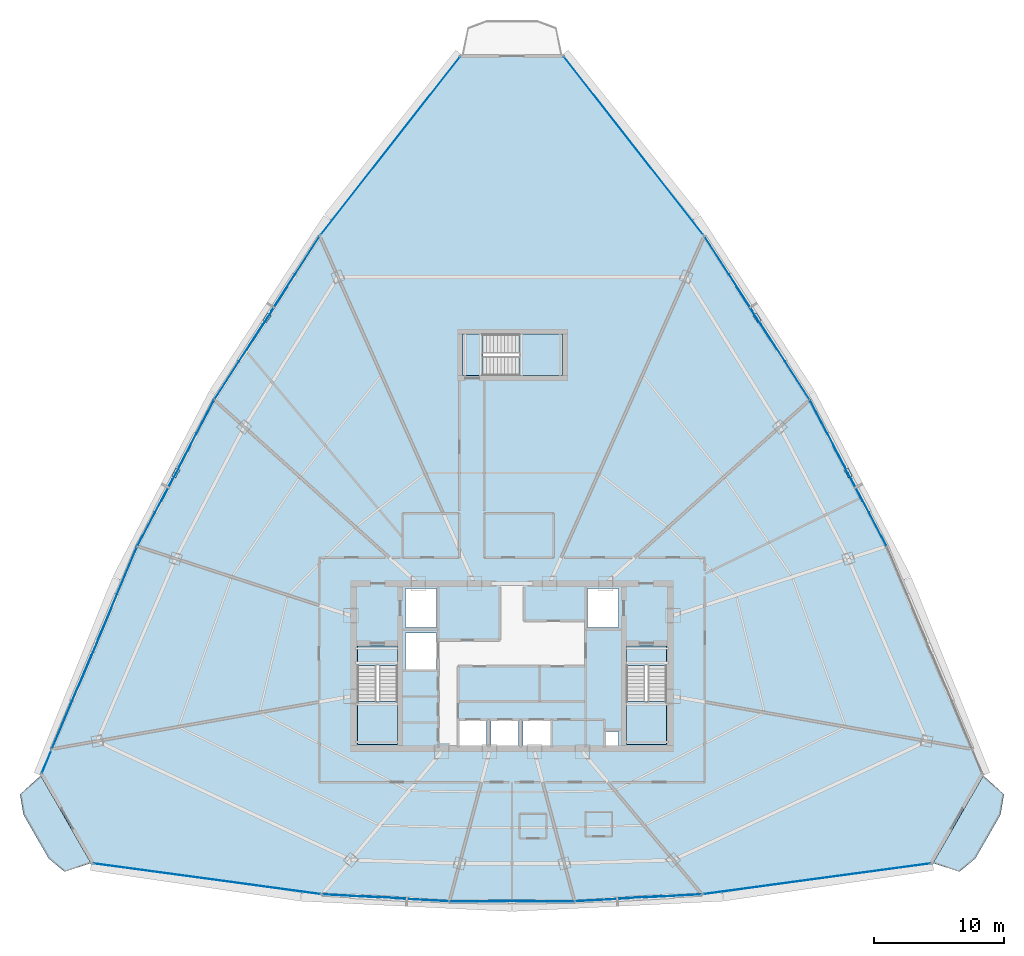
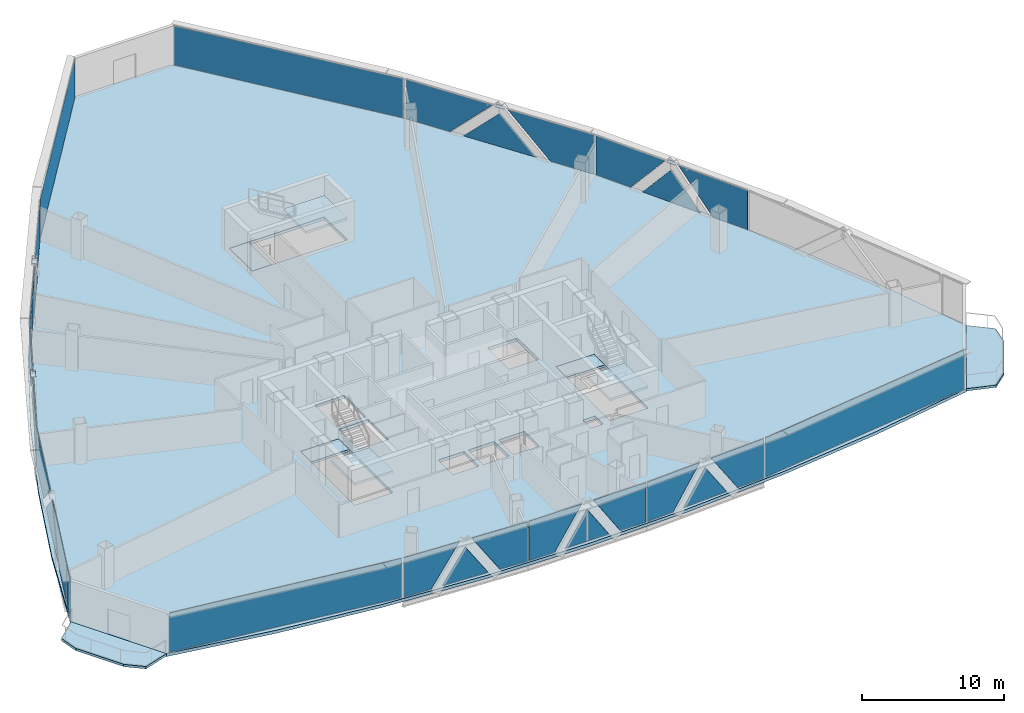
# One storey, part 25 of 34: 33 plates, 9 slabs, 16 elements without a shape of their own.
"""IFC4 building model written with IfcOpenShell, lengths in metres."""

from ifc_helpers import new_model, si_unit, direction, frame, origin, origin_2d, place, context, subcontext, project, spatial, polyline, rectangle, outline, extrude, source, transform, mapped, material, layer, layer_set, type_object, element, aggregate, save


model = new_model("IFC4")

# Units and contexts
model_context = context("Model", 3, precision=1e-05, world=origin(), true_north=direction((0.0, 1.0)))
body_context = subcontext(model_context, "Body", "Model", "MODEL_VIEW")
ifc_project = project(units=[si_unit("LENGTHUNIT", "METRE"), si_unit("AREAUNIT", "SQUARE_METRE"), si_unit("VOLUMEUNIT", "CUBIC_METRE"), si_unit("PLANEANGLEUNIT", "RADIAN"), si_unit("MASSUNIT", "GRAM", prefix="KILO"), si_unit("THERMODYNAMICTEMPERATUREUNIT", "KELVIN"), si_unit("POWERUNIT", "WATT")], contexts=[model_context])

# Site, building, storey
site_placement = place(None, origin())
site = spatial("IfcSite", under=ifc_project, at=site_placement, CompositionType="ELEMENT")
building_placement = place(site_placement, origin())
building = spatial("IfcBuilding", under=site, at=building_placement, Name="Yunzhuo Pagoda Commons", CompositionType="ELEMENT")
storey_placement = place(building_placement, frame((0.0, 0.0, 229.610107421875)))
storey = spatial("IfcBuildingStorey", under=building, at=storey_placement, Name="L57", CompositionType="ELEMENT", Elevation=229.610107421875)

# Curtain wall, plates
ifc_material_1 = material(Name="Anodized aluminium 6063-T6", Category="aluminium")
ifc_layer_1 = layer(ifc_material_1, 0.139892578125)
ifc_layer_set_1 = layer_set([ifc_layer_1], Name="Anodized aluminium 6063-T6")
curtain_wall_type = type_object("IfcCurtainWallType", Name="CW-HI High-Zone Ribbon Curtain Wall", PredefinedType="NOTDEFINED", material=ifc_layer_set_1)
curtain_wall_1_placement = place(storey_placement, origin())
curtain_wall_1 = element("IfcCurtainWall", 1, at=curtain_wall_1_placement, inside=storey, type_object=curtain_wall_type, Name="L57 curtain wall CW-L57-F1B2", PredefinedType="NOTDEFINED")
ifc_material_2 = material(Name="Tempered low-e double glazing", Category="glass")
ifc_layer_2 = layer(ifc_material_2, 0.02587890625)
ifc_layer_set_2 = layer_set([ifc_layer_2], Name="Tempered low-e double glazing")
plate_type_1 = type_object("IfcPlateType", Name="CW-HI-P Low-E Double Glazing 26", PredefinedType="CURTAIN_PANEL", material=ifc_layer_set_2)
plate_1_placement = place(storey_placement, frame((35.61474609375, 16.1640625, 1.73486328125), z_axis=(-0.054981193813, -0.998487390169, 0.0), x_axis=(0.998487390169, -0.054981193813, 0.0)))
plate_1 = element("IfcPlate", 2, at=plate_1_placement, type_object=plate_type_1, Name="CW panel 1.1 lite 1", PredefinedType="CURTAIN_PANEL", context=body_context, shape_type="SweptSolid", body=[
    extrude(outline(polyline([(-2.180419921875, -1.679931640625), (-0.031982421875, -1.679931640625), (2.180419921875, 1.679931640625), (-2.180419921875, 1.679931640625), (-2.180419921875, -1.679931640625)])), origin(), (0.0, 0.0, 1.0), 0.028076171875),
])
plate_2_placement = place(storey_placement, frame((38.283935546875, 16.047119140625, 1.4169921875), z_axis=(-0.054981193813, -0.998487390169, 0.0), x_axis=(0.998487390169, -0.054981193813, 0.0)))
plate_2 = element("IfcPlate", 3, at=plate_2_placement, type_object=plate_type_1, Name="CW panel 1.1 lite 2", PredefinedType="CURTAIN_PANEL", context=body_context, shape_type="SweptSolid", body=[
    extrude(outline(polyline([(-1.79345703125, -1.362060546875), (1.79345703125, -1.362060546875), (0.0, 1.362060546875), (-1.79345703125, -1.362060546875)])), origin(), (0.0, 0.0, 1.0), 0.028076171875),
])
plate_3_placement = place(storey_placement, frame((40.94970703125, 15.870361328125, 1.73486328125), z_axis=(-0.054981193813, -0.998487390169, 0.0), x_axis=(0.998487390169, -0.054981193813, 0.0)))
plate_3 = element("IfcPlate", 4, at=plate_3_placement, type_object=plate_type_1, Name="CW panel 1.1 lite 3", PredefinedType="CURTAIN_PANEL", context=body_context, shape_type="SweptSolid", body=[
    extrude(outline(polyline([(-2.180419921875, 1.679931640625), (0.031982421875, -1.679931640625), (2.180419921875, -1.679931640625), (2.180419921875, 1.679931640625), (-2.180419921875, 1.679931640625)])), origin(), (0.0, 0.0, 1.0), 0.028076171875),
])
aggregate(curtain_wall_1, [plate_1, plate_2, plate_3])

curtain_wall_2_placement = place(storey_placement, origin())
curtain_wall_2 = element("IfcCurtainWall", 5, at=curtain_wall_2_placement, inside=storey, type_object=curtain_wall_type, Name="L57 curtain wall CW-L57-F1B3", PredefinedType="NOTDEFINED")
plate_4_placement = place(storey_placement, frame((45.37890625, 15.74755859375, 1.73486328125), z_axis=(0.0, -1.0, 0.0), x_axis=(1.0, 0.0, 0.0)))
plate_4 = element("IfcPlate", 6, at=plate_4_placement, type_object=plate_type_1, Name="CW panel 1.1 lite 1", PredefinedType="CURTAIN_PANEL", context=body_context, shape_type="SweptSolid", body=[
    extrude(outline(polyline([(-2.13330078125, -1.679931640625), (-0.03515625, -1.679931640625), (2.13330078125, 1.679931640625), (-2.13330078125, 1.679931640625), (-2.13330078125, -1.679931640625)])), origin(), (0.0, 0.0, 1.0), 0.028076171875),
])
plate_5_placement = place(storey_placement, frame((48.0, 15.77734375, 1.412109375), z_axis=(0.0, -1.0, 0.0), x_axis=(1.0, 0.0, 0.0)))
plate_5 = element("IfcPlate", 7, at=plate_5_placement, type_object=plate_type_1, Name="CW panel 1.1 lite 2", PredefinedType="CURTAIN_PANEL", context=body_context, shape_type="SweptSolid", body=[
    extrude(outline(polyline([(-1.751708984375, -1.357177734375), (1.751708984375, -1.357177734375), (0.0, 1.357177734375), (-1.751708984375, -1.357177734375)])), origin(), (0.0, 0.0, 1.0), 0.028076171875),
])
plate_6_placement = place(storey_placement, frame((50.62109375, 15.74755859375, 1.73486328125), z_axis=(0.0, -1.0, 0.0), x_axis=(1.0, 0.0, 0.0)))
plate_6 = element("IfcPlate", 8, at=plate_6_placement, type_object=plate_type_1, Name="CW panel 1.1 lite 3", PredefinedType="CURTAIN_PANEL", context=body_context, shape_type="SweptSolid", body=[
    extrude(outline(polyline([(-2.13330078125, 1.679931640625), (0.03515625, -1.679931640625), (2.13330078125, -1.679931640625), (2.13330078125, 1.679931640625), (-2.13330078125, 1.679931640625)])), origin(), (0.0, 0.0, 1.0), 0.028076171875),
])
aggregate(curtain_wall_2, [plate_4, plate_5, plate_6])

curtain_wall_3_placement = place(storey_placement, origin())
curtain_wall_3 = element("IfcCurtainWall", 9, at=curtain_wall_3_placement, inside=storey, type_object=curtain_wall_type, Name="L57 curtain wall CW-L57-F1B4", PredefinedType="NOTDEFINED")
plate_7_placement = place(storey_placement, frame((55.05029296875, 15.870361328125, 1.73486328125), z_axis=(0.054981193813, -0.998487390169, 0.0), x_axis=(0.998487390169, 0.054981193813, 0.0)))
plate_7 = element("IfcPlate", 10, at=plate_7_placement, type_object=plate_type_1, Name="CW panel 1.1 lite 1", PredefinedType="CURTAIN_PANEL", context=body_context, shape_type="SweptSolid", body=[
    extrude(outline(polyline([(-2.180419921875, -1.679931640625), (-0.031982421875, -1.679931640625), (2.180419921875, 1.679931640625), (-2.180419921875, 1.679931640625), (-2.180419921875, -1.679931640625)])), origin(), (0.0, 0.0, 1.0), 0.028076171875),
])
plate_8_placement = place(storey_placement, frame((57.716064453125, 16.047119140625, 1.4169921875), z_axis=(0.054981193813, -0.998487390169, 0.0), x_axis=(0.998487390169, 0.054981193813, 0.0)))
plate_8 = element("IfcPlate", 11, at=plate_8_placement, type_object=plate_type_1, Name="CW panel 1.1 lite 2", PredefinedType="CURTAIN_PANEL", context=body_context, shape_type="SweptSolid", body=[
    extrude(outline(polyline([(-1.79345703125, -1.362060546875), (1.79345703125, -1.362060546875), (0.0, 1.362060546875), (-1.79345703125, -1.362060546875)])), origin(), (0.0, 0.0, 1.0), 0.028076171875),
])
plate_9_placement = place(storey_placement, frame((60.38525390625, 16.1640625, 1.73486328125), z_axis=(0.054981193813, -0.998487390169, 0.0), x_axis=(0.998487390169, 0.054981193813, 0.0)))
plate_9 = element("IfcPlate", 12, at=plate_9_placement, type_object=plate_type_1, Name="CW panel 1.1 lite 3", PredefinedType="CURTAIN_PANEL", context=body_context, shape_type="SweptSolid", body=[
    extrude(outline(polyline([(-2.180419921875, 1.679931640625), (0.031982421875, -1.679931640625), (2.180419921875, -1.679931640625), (2.180419921875, 1.679931640625), (-2.180419921875, 1.679931640625)])), origin(), (0.0, 0.0, 1.0), 0.028076171875),
])
aggregate(curtain_wall_3, [plate_7, plate_8, plate_9])

curtain_wall_4_placement = place(storey_placement, origin())
curtain_wall_4 = element("IfcCurtainWall", 13, at=curtain_wall_4_placement, inside=storey, type_object=curtain_wall_type, Name="L57 curtain wall CW-L57-F2B3", PredefinedType="NOTDEFINED")
plate_10_placement = place(storey_placement, frame((75.46435546875, 45.666748046875, 1.73486328125), z_axis=(0.885137797473, 0.465329001337, 0.0), x_axis=(-0.465329001337, 0.885137797473, 0.0)))
plate_10 = element("IfcPlate", 14, at=plate_10_placement, type_object=plate_type_1, Name="CW panel 1.1 lite 1", PredefinedType="CURTAIN_PANEL", context=body_context, shape_type="SweptSolid", body=[
    extrude(outline(polyline([(-2.87890625, -1.679931640625), (0.012451171875, -1.679931640625), (2.87890625, 1.679931640625), (-2.87890625, 1.679931640625), (-2.87890625, -1.679931640625)])), origin(), (0.0, 0.0, 1.0), 0.028076171875),
])
plate_11_placement = place(storey_placement, frame((73.84375, 48.684814453125, 1.469482421875), z_axis=(0.885137797473, 0.465329001337, 0.0), x_axis=(-0.465329001337, 0.885137797473, 0.0)))
plate_11 = element("IfcPlate", 15, at=plate_11_placement, type_object=plate_type_1, Name="CW panel 1.1 lite 2", PredefinedType="CURTAIN_PANEL", context=body_context, shape_type="SweptSolid", body=[
    extrude(outline(polyline([(-2.413818359375, -1.414794921875), (2.413818359375, -1.414794921875), (0.0, 1.414794921875), (-2.413818359375, -1.414794921875)])), origin(), (0.0, 0.0, 1.0), 0.028076171875),
])
plate_12_placement = place(storey_placement, frame((72.276611328125, 51.730712890625, 1.73486328125), z_axis=(0.885137797473, 0.465329001337, 0.0), x_axis=(-0.465329001337, 0.885137797473, 0.0)))
plate_12 = element("IfcPlate", 16, at=plate_12_placement, type_object=plate_type_1, Name="CW panel 1.1 lite 3", PredefinedType="CURTAIN_PANEL", context=body_context, shape_type="SweptSolid", body=[
    extrude(outline(polyline([(-2.87890625, 1.679931640625), (-0.012451171875, -1.679931640625), (2.87890625, -1.679931640625), (2.87890625, 1.679931640625), (-2.87890625, 1.679931640625)])), origin(), (0.0, 0.0, 1.0), 0.028076171875),
])
aggregate(curtain_wall_4, [plate_10, plate_11, plate_12])

curtain_wall_5_placement = place(storey_placement, origin())
curtain_wall_5 = element("IfcCurtainWall", 17, at=curtain_wall_5_placement, inside=storey, type_object=curtain_wall_type, Name="L57 curtain wall CW-L57-F2B4", PredefinedType="NOTDEFINED")
plate_13_placement = place(storey_placement, frame((69.024658203125, 57.2587890625, 1.73486328125), z_axis=(0.840807373352, 0.541334426133, 0.0), x_axis=(-0.541334426133, 0.840807373352, 0.0)))
plate_13 = element("IfcPlate", 18, at=plate_13_placement, type_object=plate_type_1, Name="CW panel 1.1 lite 1", PredefinedType="CURTAIN_PANEL", context=body_context, shape_type="SweptSolid", body=[
    extrude(outline(polyline([(-3.422119140625, -1.679931640625), (0.044921875, -1.679931640625), (3.422119140625, 1.679931640625), (-3.422119140625, 1.679931640625), (-3.422119140625, -1.679931640625)])), origin(), (0.0, 0.0, 1.0), 0.028076171875),
])
plate_14_placement = place(storey_placement, frame((66.8251953125, 60.61962890625, 1.494384765625), z_axis=(0.840807373352, 0.541334426133, 0.0), x_axis=(-0.541334426133, 0.840807373352, 0.0)))
plate_14 = element("IfcPlate", 19, at=plate_14_placement, type_object=plate_type_1, Name="CW panel 1.1 lite 2", PredefinedType="CURTAIN_PANEL", context=body_context, shape_type="SweptSolid", body=[
    extrude(outline(polyline([(-2.893798828125, -1.439453125), (2.893798828125, -1.439453125), (0.0, 1.439453125), (-2.893798828125, -1.439453125)])), origin(), (0.0, 0.0, 1.0), 0.028076171875),
])
plate_15_placement = place(storey_placement, frame((64.67626953125, 64.0126953125, 1.73486328125), z_axis=(0.840807373352, 0.541334426133, 0.0), x_axis=(-0.541334426133, 0.840807373352, 0.0)))
plate_15 = element("IfcPlate", 20, at=plate_15_placement, type_object=plate_type_1, Name="CW panel 1.1 lite 3", PredefinedType="CURTAIN_PANEL", context=body_context, shape_type="SweptSolid", body=[
    extrude(outline(polyline([(-3.422119140625, 1.679931640625), (-0.044921875, -1.679931640625), (3.422119140625, -1.679931640625), (3.422119140625, 1.679931640625), (-3.422119140625, 1.679931640625)])), origin(), (0.0, 0.0, 1.0), 0.028076171875),
])
aggregate(curtain_wall_5, [plate_13, plate_14, plate_15])

curtain_wall_6_placement = place(storey_placement, origin())
curtain_wall_6 = element("IfcCurtainWall", 21, at=curtain_wall_6_placement, inside=storey, type_object=curtain_wall_type, Name="L57 curtain wall CW-L57-F3B2", PredefinedType="NOTDEFINED")
plate_16_placement = place(storey_placement, frame((31.32373046875, 64.0126953125, 1.73486328125), z_axis=(-0.840807373352, 0.541334426133, 0.0), x_axis=(-0.541334426133, -0.840807373352, 0.0)))
plate_16 = element("IfcPlate", 22, at=plate_16_placement, type_object=plate_type_1, Name="CW panel 1.1 lite 1", PredefinedType="CURTAIN_PANEL", context=body_context, shape_type="SweptSolid", body=[
    extrude(outline(polyline([(-3.422119140625, -1.679931640625), (0.044921875, -1.679931640625), (3.422119140625, 1.679931640625), (-3.422119140625, 1.679931640625), (-3.422119140625, -1.679931640625)])), origin(), (0.0, 0.0, 1.0), 0.028076171875),
])
plate_17_placement = place(storey_placement, frame((29.1748046875, 60.61962890625, 1.494384765625), z_axis=(-0.840807373352, 0.541334426133, 0.0), x_axis=(-0.541334426133, -0.840807373352, 0.0)))
plate_17 = element("IfcPlate", 23, at=plate_17_placement, type_object=plate_type_1, Name="CW panel 1.1 lite 2", PredefinedType="CURTAIN_PANEL", context=body_context, shape_type="SweptSolid", body=[
    extrude(outline(polyline([(-2.893798828125, -1.439453125), (2.893798828125, -1.439453125), (0.0, 1.439453125), (-2.893798828125, -1.439453125)])), origin(), (0.0, 0.0, 1.0), 0.028076171875),
])
plate_18_placement = place(storey_placement, frame((26.975341796875, 57.2587890625, 1.73486328125), z_axis=(-0.840807373352, 0.541334426133, 0.0), x_axis=(-0.541334426133, -0.840807373352, 0.0)))
plate_18 = element("IfcPlate", 24, at=plate_18_placement, type_object=plate_type_1, Name="CW panel 1.1 lite 3", PredefinedType="CURTAIN_PANEL", context=body_context, shape_type="SweptSolid", body=[
    extrude(outline(polyline([(-3.422119140625, 1.679931640625), (-0.044921875, -1.679931640625), (3.422119140625, -1.679931640625), (3.422119140625, 1.679931640625), (-3.422119140625, 1.679931640625)])), origin(), (0.0, 0.0, 1.0), 0.028076171875),
])
aggregate(curtain_wall_6, [plate_16, plate_17, plate_18])

curtain_wall_7_placement = place(storey_placement, origin())
curtain_wall_7 = element("IfcCurtainWall", 25, at=curtain_wall_7_placement, inside=storey, type_object=curtain_wall_type, Name="L57 curtain wall CW-L57-F3B3", PredefinedType="NOTDEFINED")
plate_19_placement = place(storey_placement, frame((23.723388671875, 51.730712890625, 1.73486328125), z_axis=(-0.885137797473, 0.465329001337, 0.0), x_axis=(-0.465329001337, -0.885137797473, 0.0)))
plate_19 = element("IfcPlate", 26, at=plate_19_placement, type_object=plate_type_1, Name="CW panel 1.1 lite 1", PredefinedType="CURTAIN_PANEL", context=body_context, shape_type="SweptSolid", body=[
    extrude(outline(polyline([(-2.87890625, -1.679931640625), (0.012451171875, -1.679931640625), (2.87890625, 1.679931640625), (-2.87890625, 1.679931640625), (-2.87890625, -1.679931640625)])), origin(), (0.0, 0.0, 1.0), 0.028076171875),
])
plate_20_placement = place(storey_placement, frame((22.15625, 48.684814453125, 1.469482421875), z_axis=(-0.885137797473, 0.465329001337, 0.0), x_axis=(-0.465329001337, -0.885137797473, 0.0)))
plate_20 = element("IfcPlate", 27, at=plate_20_placement, type_object=plate_type_1, Name="CW panel 1.1 lite 2", PredefinedType="CURTAIN_PANEL", context=body_context, shape_type="SweptSolid", body=[
    extrude(outline(polyline([(-2.413818359375, -1.414794921875), (2.413818359375, -1.414794921875), (0.0, 1.414794921875), (-2.413818359375, -1.414794921875)])), origin(), (0.0, 0.0, 1.0), 0.028076171875),
])
plate_21_placement = place(storey_placement, frame((20.53564453125, 45.666748046875, 1.73486328125), z_axis=(-0.885137797473, 0.465329001337, 0.0), x_axis=(-0.465329001337, -0.885137797473, 0.0)))
plate_21 = element("IfcPlate", 28, at=plate_21_placement, type_object=plate_type_1, Name="CW panel 1.1 lite 3", PredefinedType="CURTAIN_PANEL", context=body_context, shape_type="SweptSolid", body=[
    extrude(outline(polyline([(-2.87890625, 1.679931640625), (-0.012451171875, -1.679931640625), (2.87890625, -1.679931640625), (2.87890625, 1.679931640625), (-2.87890625, 1.679931640625)])), origin(), (0.0, 0.0, 1.0), 0.028076171875),
])
aggregate(curtain_wall_7, [plate_19, plate_20, plate_21])

curtain_wall_8_placement = place(storey_placement, origin())
curtain_wall_8 = element("IfcCurtainWall", 29, at=curtain_wall_8_placement, inside=storey, type_object=curtain_wall_type, Name="L57 curtain wall CW-L57-F3B4", PredefinedType="NOTDEFINED")
plate_22_placement = place(storey_placement, frame((17.63623046875, 39.42822265625, 1.73486328125), z_axis=(-0.92158893956, 0.388167266112, 0.0), x_axis=(-0.388167266112, -0.92158893956, 0.0)))
plate_22 = element("IfcPlate", 30, at=plate_22_placement, type_object=plate_type_1, Name="CW panel 1.1 lite 1", PredefinedType="CURTAIN_PANEL", context=body_context, shape_type="SweptSolid", body=[
    extrude(outline(polyline([(-3.887939453125, -1.679931640625), (0.0712890625, -1.679931640625), (3.887939453125, 1.679931640625), (-3.887939453125, 1.679931640625), (-3.887939453125, -1.679931640625)])), origin(), (0.0, 0.0, 1.0), 0.028076171875),
])
plate_23_placement = place(storey_placement, frame((15.9072265625, 35.24609375, 1.50927734375), z_axis=(-0.92158893956, 0.388167266112, 0.0), x_axis=(-0.388167266112, -0.92158893956, 0.0)))
plate_23 = element("IfcPlate", 31, at=plate_23_placement, type_object=plate_type_1, Name="CW panel 1.1 lite 2", PredefinedType="CURTAIN_PANEL", context=body_context, shape_type="SweptSolid", body=[
    extrude(outline(polyline([(-3.303955078125, -1.454345703125), (3.303955078125, -1.454345703125), (0.0, 1.454345703125), (-3.303955078125, -1.454345703125)])), origin(), (0.0, 0.0, 1.0), 0.028076171875),
])
plate_24_placement = place(storey_placement, frame((14.123046875, 31.087158203125, 1.73486328125), z_axis=(-0.92158893956, 0.388167266112, 0.0), x_axis=(-0.388167266112, -0.92158893956, 0.0)))
plate_24 = element("IfcPlate", 32, at=plate_24_placement, type_object=plate_type_1, Name="CW panel 1.1 lite 3", PredefinedType="CURTAIN_PANEL", context=body_context, shape_type="SweptSolid", body=[
    extrude(outline(polyline([(-3.887939453125, 1.679931640625), (-0.0712890625, -1.679931640625), (3.887939453125, -1.679931640625), (3.887939453125, 1.679931640625), (-3.887939453125, 1.679931640625)])), origin(), (0.0, 0.0, 1.0), 0.028076171875),
])
aggregate(curtain_wall_8, [plate_22, plate_23, plate_24])

# Slabs
ifc_material_3 = material(Name="Concrete C40", Category="concrete")
ifc_layer_3 = layer(ifc_material_3, 0.199951171875)
ifc_layer_set_3 = layer_set([ifc_layer_3], Name="Concrete C40")
slab_type_1 = type_object("IfcSlabType", Name="SL-BAL Vertex Balcony Deck Slab 200", PredefinedType="FLOOR", material=ifc_layer_set_3)
slab_1_placement = place(storey_placement, frame((0.0, 0.0, -0.2001953125)))
element("IfcSlab", 33, at=slab_1_placement, inside=storey, type_object=slab_type_1, Name="L57 corner balcony V1", PredefinedType="FLOOR", context=body_context, shape_type="SweptSolid", body=[
    extrude(outline(polyline([(11.717529296875, 25.412109375), (15.588134765625, 18.67041015625), (13.54736328125, 18.017578125), (12.32666015625, 19.038818359375), (10.391357421875, 22.40966796875), (10.124755859375, 23.978515625), (11.717529296875, 25.412109375)])), origin(), (0.0, 0.0, 1.0), 0.2001953125),
])
slab_2_placement = place(storey_placement, frame((0.0, 0.0, -0.2001953125)))
element("IfcSlab", 34, at=slab_2_placement, inside=storey, type_object=slab_type_1, Name="L57 corner balcony V2", PredefinedType="FLOOR", context=body_context, shape_type="SweptSolid", body=[
    extrude(outline(polyline([(80.411865234375, 18.67041015625), (84.282470703125, 25.412109375), (85.875244140625, 23.978515625), (85.608642578125, 22.40966796875), (83.67333984375, 19.038818359375), (82.45263671875, 18.017578125), (80.411865234375, 18.67041015625)])), origin(), (0.0, 0.0, 1.0), 0.2001953125),
])

# Stair, slabs
stair_type_1 = type_object("IfcStairType", Name="ST-C1 Core Smokeproof Stair ST1", PredefinedType="HALF_TURN_STAIR", material=ifc_material_3)
stair_1_placement = place(storey_placement, origin())
stair_1 = element("IfcStair", 35, at=stair_1_placement, inside=storey, type_object=stair_type_1, Name="L57 Core smokeproof stair ST1", PredefinedType="HALF_TURN_STAIR")
ifc_layer_4 = layer(ifc_material_3, 0.199951171875)
ifc_layer_set_4 = layer_set([ifc_layer_4], Name="Concrete C40")
slab_type_2 = type_object("IfcSlabType", Name="SL-LND1 Stair Landing Slab 200", PredefinedType="LANDING", material=ifc_layer_set_4)
slab_3_placement = place(storey_placement, frame((0.0, 0.0, 1.664794921875)))
slab_3 = element("IfcSlab", 36, at=slab_3_placement, type_object=slab_type_2, Name="ST1 landing 1", PredefinedType="LANDING", context=body_context, shape_type="SweptSolid", body=[
    extrude(outline(polyline([(36.10009765625, 31.10009765625), (36.10009765625, 27.800048828125), (39.199951171875, 27.800048828125), (39.199951171875, 31.10009765625), (36.10009765625, 31.10009765625)])), origin(), (0.0, 0.0, 1.0), 0.2001953125),
])
slab_4_placement = place(storey_placement, frame((0.0, 0.0, -0.2001953125)))
slab_4 = element("IfcSlab", 37, at=slab_4_placement, type_object=slab_type_2, Name="ST1 floor landing L57", PredefinedType="LANDING", context=body_context, shape_type="SweptSolid", body=[
    extrude(outline(polyline([(36.10009765625, 35.39990234375), (36.10009765625, 33.89990234375), (39.199951171875, 33.89990234375), (39.199951171875, 35.39990234375), (36.10009765625, 35.39990234375)])), origin(), (0.0, 0.0, 1.0), 0.2001953125),
])
aggregate(stair_1, [slab_3, slab_4])

stair_type_2 = type_object("IfcStairType", Name="ST-C2 Core Smokeproof Stair ST2", PredefinedType="HALF_TURN_STAIR", material=ifc_material_3)
stair_2_placement = place(storey_placement, origin())
stair_2 = element("IfcStair", 38, at=stair_2_placement, inside=storey, type_object=stair_type_2, Name="L57 Core smokeproof stair ST2", PredefinedType="HALF_TURN_STAIR")
ifc_layer_5 = layer(ifc_material_3, 0.201904296875)
ifc_layer_set_5 = layer_set([ifc_layer_5], Name="Concrete C40")
slab_type_3 = type_object("IfcSlabType", Name="SL-LND2 Stair Landing Slab 202", PredefinedType="LANDING", material=ifc_layer_set_5)
slab_5_placement = place(storey_placement, frame((0.0, 0.0, 1.664794921875)))
slab_5 = element("IfcSlab", 39, at=slab_5_placement, type_object=slab_type_3, Name="ST2 landing 1", PredefinedType="LANDING", context=body_context, shape_type="SweptSolid", body=[
    extrude(outline(polyline([(56.800048828125, 31.10009765625), (56.800048828125, 27.800048828125), (59.89990234375, 27.800048828125), (59.89990234375, 31.10009765625), (56.800048828125, 31.10009765625)])), origin(), (0.0, 0.0, 1.0), 0.2001953125),
])
slab_6_placement = place(storey_placement, frame((0.0, 0.0, -0.2001953125)))
slab_6 = element("IfcSlab", 40, at=slab_6_placement, type_object=slab_type_3, Name="ST2 floor landing L57", PredefinedType="LANDING", context=body_context, shape_type="SweptSolid", body=[
    extrude(outline(polyline([(56.800048828125, 35.39990234375), (56.800048828125, 33.89990234375), (59.89990234375, 33.89990234375), (59.89990234375, 35.39990234375), (56.800048828125, 35.39990234375)])), origin(), (0.0, 0.0, 1.0), 0.2001953125),
])
aggregate(stair_2, [slab_5, slab_6])

stair_type_3 = type_object("IfcStairType", Name="ST-C3 North Tower Smokeproof Stair ST3", PredefinedType="HALF_TURN_STAIR", material=ifc_material_3)
stair_3_placement = place(storey_placement, origin())
stair_3 = element("IfcStair", 41, at=stair_3_placement, inside=storey, type_object=stair_type_3, Name="L57 North tower smokeproof stair ST3", PredefinedType="HALF_TURN_STAIR")
ifc_layer_6 = layer(ifc_material_3, 0.2041015625)
ifc_layer_set_6 = layer_set([ifc_layer_6], Name="Concrete C40")
slab_type_4 = type_object("IfcSlabType", Name="SL-LND5 North Landing Slab 204", PredefinedType="LANDING", material=ifc_layer_set_6)
slab_7_placement = place(storey_placement, frame((0.0, 0.0, 1.664794921875)))
slab_7 = element("IfcSlab", 42, at=slab_7_placement, type_object=slab_type_4, Name="ST3 landing 1", PredefinedType="LANDING", context=body_context, shape_type="SweptSolid", body=[
    extrude(outline(polyline([(48.550048828125, 56.199951171875), (51.89990234375, 56.199951171875), (51.89990234375, 59.39990234375), (48.550048828125, 59.39990234375), (48.550048828125, 56.199951171875)])), origin(), (0.0, 0.0, 1.0), 0.2001953125),
])
slab_8_placement = place(storey_placement, frame((0.0, 0.0, -0.2001953125)))
slab_8 = element("IfcSlab", 43, at=slab_8_placement, type_object=slab_type_4, Name="ST3 floor landing L57", PredefinedType="LANDING", context=body_context, shape_type="SweptSolid", body=[
    extrude(outline(polyline([(44.199951171875, 56.199951171875), (45.75, 56.199951171875), (45.75, 59.39990234375), (44.199951171875, 59.39990234375), (44.199951171875, 56.199951171875)])), origin(), (0.0, 0.0, 1.0), 0.2001953125),
])
aggregate(stair_3, [slab_7, slab_8])

# Slab
ifc_layer_7 = layer(ifc_material_3, 0.260009765625)
ifc_layer_set_7 = layer_set([ifc_layer_7], Name="Concrete C40")
slab_type_5 = type_object("IfcSlabType", Name="SL-TWR Typical Tower Floor Slab 260", PredefinedType="FLOOR", material=ifc_layer_set_7)
slab_9_placement = place(storey_placement, frame((0.0, 0.0, -0.260009765625)))
element("IfcSlab", 44, at=slab_9_placement, inside=storey, type_object=slab_type_5, Name="L57 structural floor slab", PredefinedType="FLOOR", context=body_context, shape_type="SweptSolid", body=[
    extrude(outline(polyline([(14.5810546875, 33.0498046875), (17.78076171875, 40.486328125), (21.32080078125, 47.72412109375), (25.20166015625, 54.76318359375), (29.4228515625, 61.603515625), (33.984375, 68.2451171875), (38.88671875, 74.68798828125), (44.129150390625, 80.931884765625), (51.870849609375, 80.931884765625), (57.11328125, 74.68798828125), (62.015625, 68.2451171875), (66.5771484375, 61.603515625), (70.79833984375, 54.76318359375), (74.67919921875, 47.72412109375), (78.21923828125, 40.486328125), (81.4189453125, 33.0498046875), (84.2783203125, 25.41455078125), (80.407470703125, 18.673095703125), (72.3056640625, 17.293212890625), (64.20361328125, 16.3076171875), (56.101806640625, 15.716064453125), (48.0, 15.51904296875), (39.898193359375, 15.716064453125), (31.79638671875, 16.3076171875), (23.6943359375, 17.293212890625), (15.592529296875, 18.673095703125), (11.7216796875, 25.41455078125), (14.5810546875, 33.0498046875)]), holes=[polyline([(56.179931640625, 28.800048828125), (55.179931640625, 28.800048828125), (55.179931640625, 27.699951171875), (56.179931640625, 27.699951171875), (56.179931640625, 28.800048828125)]), polyline([(46.050048828125, 29.64990234375), (43.949951171875, 29.64990234375), (43.949951171875, 27.60009765625), (46.050048828125, 27.60009765625), (46.050048828125, 29.64990234375)]), polyline([(48.5, 29.64990234375), (46.39990234375, 29.64990234375), (46.39990234375, 27.60009765625), (48.5, 27.60009765625), (48.5, 29.64990234375)]), polyline([(50.949951171875, 27.60009765625), (50.949951171875, 29.64990234375), (48.85009765625, 29.64990234375), (48.85009765625, 27.60009765625), (50.949951171875, 27.60009765625)]), polyline([(36.10009765625, 27.800048828125), (39.199951171875, 27.800048828125), (39.199951171875, 35.39990234375), (36.10009765625, 35.39990234375), (36.10009765625, 27.800048828125)]), polyline([(59.89990234375, 27.800048828125), (59.89990234375, 35.39990234375), (56.800048828125, 35.39990234375), (56.800048828125, 27.800048828125), (59.89990234375, 27.800048828125)]), polyline([(42.199951171875, 36.39990234375), (39.800048828125, 36.39990234375), (39.800048828125, 33.60009765625), (42.199951171875, 33.60009765625), (42.199951171875, 36.39990234375)]), polyline([(42.199951171875, 39.800048828125), (39.800048828125, 39.800048828125), (39.800048828125, 36.800048828125), (42.199951171875, 36.800048828125), (42.199951171875, 39.800048828125)]), polyline([(56.199951171875, 36.800048828125), (56.199951171875, 39.800048828125), (53.800048828125, 39.800048828125), (53.800048828125, 36.800048828125), (56.199951171875, 36.800048828125)]), polyline([(51.89990234375, 56.199951171875), (51.89990234375, 59.39990234375), (44.199951171875, 59.39990234375), (44.199951171875, 56.199951171875), (51.89990234375, 56.199951171875)])]), origin(), (0.0, 0.0, 1.0), 0.260009765625),
])

# Plates
ifc_material_4 = material(Name="Structural steel Q355B", Category="steel")
ifc_layer_8 = layer(ifc_material_4, 0.028076171875)
ifc_layer_set_8 = layer_set([ifc_layer_8], Name="Structural steel Q355B")
plate_type_2 = type_object("IfcPlateType", Name="SP-ND1 Lattice Node Cap Plate 800x500x28", PredefinedType="USERDEFINED", material=ifc_layer_set_8)
shared_shape_1 = source(origin(), body_context, "Body", "SweptSolid", [
    extrude(rectangle(XDim=0.699951171875, YDim=0.35009765625, at=origin_2d()), origin(), (0.0, 0.0, 1.0), 0.035888671875),
])
for number, where, z_axis, x_axis, name in (
    (45, (73.8828125, 48.705322265625, 3.43212890625), (0.0, 0.0, 1.0), (-0.465336470286, 0.885133870904, 0.0), "L57 setback lattice tie plate F2.2L"),
    (46, (66.8623046875, 60.643310546875, 3.43212890625), (0.0, 0.0, 1.0), (-0.541341392357, 0.840802888269, 0.0), "L57 setback lattice tie plate F2.3L"),
    (47, (29.1376953125, 60.643310546875, 3.43212890625), (0.0, 0.0, 1.0), (-0.541341392357, -0.840802888269, 0.0), "L57 setback lattice tie plate F3.1L"),
    (48, (22.1171875, 48.705322265625, 3.43212890625), (0.0, 0.0, 1.0), (-0.465336470286, -0.885133870904, 0.0), "L57 setback lattice tie plate F3.2L"),
):
    element("IfcPlate", number, at=place(storey_placement, frame(where, z_axis=z_axis, x_axis=x_axis)), inside=storey, type_object=plate_type_2, Name=name, ObjectType="STIFFENER_PLATE", PredefinedType="USERDEFINED", context=body_context, shape_type="MappedRepresentation", body=[
        mapped(shared_shape_1, transform((0.0, 0.0, 0.0), scale=1.0)),
    ])

# Curtain wall, plate
curtain_wall_9_placement = place(storey_placement, origin())
curtain_wall_9 = element("IfcCurtainWall", 49, at=curtain_wall_9_placement, inside=storey, type_object=curtain_wall_type, Name="L57 curtain wall CW-L57-F1B1", PredefinedType="NOTDEFINED")
shared_shape_2 = source(origin(), body_context, "Body", "SweptSolid", [
    extrude(rectangle(XDim=17.590087890625, YDim=0.028076171875, at=origin_2d()), origin(), (0.0, 0.0, 1.0), 3.360107421875),
])
plate_25_placement = place(storey_placement, frame((24.52783203125, 17.46923828125, 0.0546875), z_axis=(0.0, 0.0, 1.0), x_axis=(0.990990850616, -0.133929585963, 0.0)))
plate_25 = element("IfcPlate", 50, at=plate_25_placement, type_object=plate_type_1, Name="CW panel 1.1", PredefinedType="CURTAIN_PANEL", context=body_context, shape_type="MappedRepresentation", body=[
    mapped(shared_shape_2, transform((0.0, 0.0, 0.0), scale=1.0)),
])
aggregate(curtain_wall_9, [plate_25])

curtain_wall_10_placement = place(storey_placement, origin())
curtain_wall_10 = element("IfcCurtainWall", 51, at=curtain_wall_10_placement, inside=storey, type_object=curtain_wall_type, Name="L57 curtain wall CW-L57-F1B5", PredefinedType="NOTDEFINED")
plate_26_placement = place(storey_placement, frame((71.47216796875, 17.46923828125, 0.0546875), z_axis=(0.0, 0.0, 1.0), x_axis=(0.990990850616, 0.133929585963, 0.0)))
plate_26 = element("IfcPlate", 52, at=plate_26_placement, type_object=plate_type_1, Name="CW panel 1.1", PredefinedType="CURTAIN_PANEL", context=body_context, shape_type="MappedRepresentation", body=[
    mapped(shared_shape_2, transform((0.0, 0.0, 0.0), scale=1.0)),
])
aggregate(curtain_wall_10, [plate_26])

curtain_wall_11_placement = place(storey_placement, origin())
curtain_wall_11 = element("IfcCurtainWall", 53, at=curtain_wall_11_placement, inside=storey, type_object=curtain_wall_type, Name="L57 curtain wall CW-L57-F3B5", PredefinedType="NOTDEFINED")
shared_shape_3 = source(origin(), body_context, "Body", "SweptSolid", [
    extrude(rectangle(XDim=1.85595703125, YDim=0.028076171875, at=origin_2d()), origin(), (0.0, 0.0, 1.0), 3.360107421875),
])
plate_27_placement = place(storey_placement, frame((12.16796875, 26.47314453125, 0.0546875), z_axis=(0.0, 0.0, 1.0), x_axis=(-0.385344767667, -0.922772675165, 0.0)))
plate_27 = element("IfcPlate", 54, at=plate_27_placement, type_object=plate_type_1, Name="CW panel 1.1", PredefinedType="CURTAIN_PANEL", context=body_context, shape_type="MappedRepresentation", body=[
    mapped(shared_shape_3, transform((0.0, 0.0, 0.0), scale=1.0)),
])
aggregate(curtain_wall_11, [plate_27])

curtain_wall_12_placement = place(storey_placement, origin())
curtain_wall_12 = element("IfcCurtainWall", 55, at=curtain_wall_12_placement, inside=storey, type_object=curtain_wall_type, Name="L57 curtain wall CW-L57-F2B5", PredefinedType="NOTDEFINED")
shared_shape_4 = source(origin(), body_context, "Body", "SweptSolid", [
    extrude(rectangle(XDim=17.39404296875, YDim=0.028076171875, at=origin_2d()), origin(), (0.0, 0.0, 1.0), 3.360107421875),
])
plate_28_placement = place(storey_placement, frame((57.361328125, 73.904541015625, 0.0546875), z_axis=(0.0, 0.0, 1.0), x_axis=(-0.616136433127, 0.787639445288, 0.0)))
plate_28 = element("IfcPlate", 56, at=plate_28_placement, type_object=plate_type_1, Name="CW panel 1.1", PredefinedType="CURTAIN_PANEL", context=body_context, shape_type="MappedRepresentation", body=[
    mapped(shared_shape_4, transform((0.0, 0.0, 0.0), scale=1.0)),
])
aggregate(curtain_wall_12, [plate_28])

curtain_wall_13_placement = place(storey_placement, origin())
curtain_wall_13 = element("IfcCurtainWall", 57, at=curtain_wall_13_placement, inside=storey, type_object=curtain_wall_type, Name="L57 curtain wall CW-L57-F3B1", PredefinedType="NOTDEFINED")
plate_29_placement = place(storey_placement, frame((38.638671875, 73.904541015625, 0.0546875), z_axis=(0.0, 0.0, 1.0), x_axis=(-0.616136433127, -0.787639445288, 0.0)))
plate_29 = element("IfcPlate", 58, at=plate_29_placement, type_object=plate_type_1, Name="CW panel 1.1", PredefinedType="CURTAIN_PANEL", context=body_context, shape_type="MappedRepresentation", body=[
    mapped(shared_shape_4, transform((0.0, 0.0, 0.0), scale=1.0)),
])
aggregate(curtain_wall_13, [plate_29])

save(model, "model.ifc")
